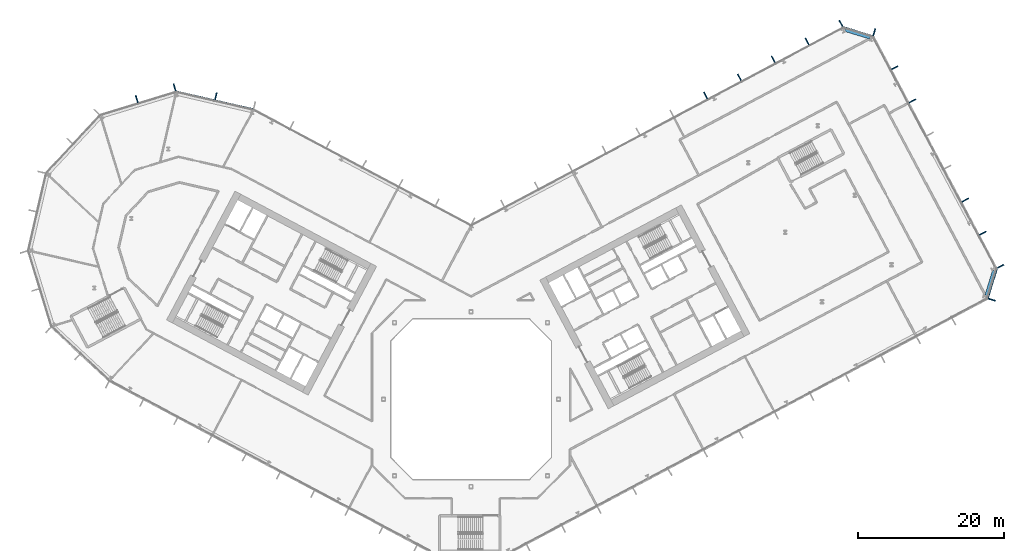
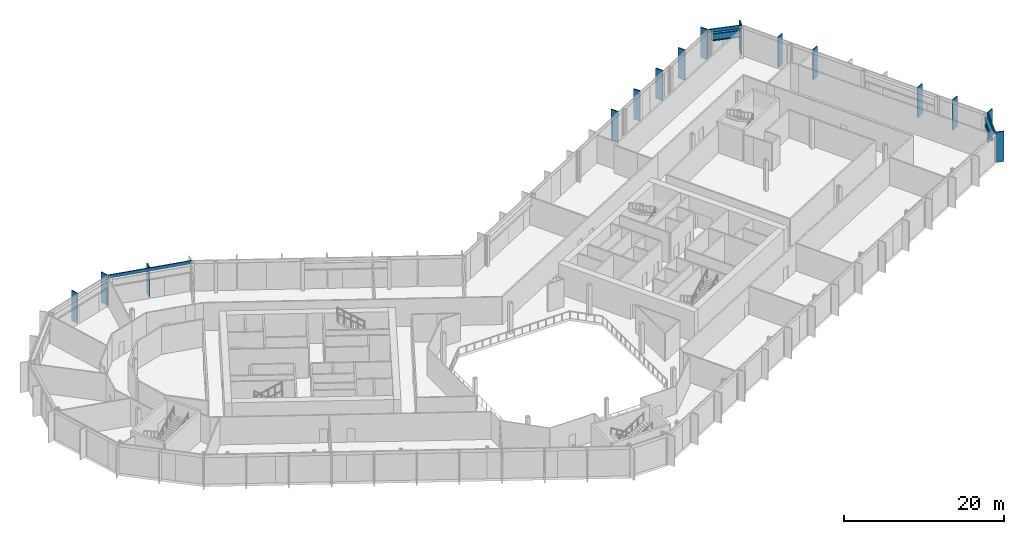
# One storey, part 9 of 30: 18 members, 2 beams, 6 elements without a shape of their own.
"""IFC4 building model written with IfcOpenShell, lengths in metres."""

from ifc_helpers import new_model, si_unit, direction, frame, origin, origin_2d, place, context, subcontext, project, spatial, rectangle, i_section, extrude, material, layer, layer_set, material_profile, profile_set, type_object, element, aggregate, save


model = new_model("IFC4")

# Units and contexts
model_context = context("Model", 3, precision=1e-05, world=origin(), true_north=direction((0.0, 1.0)))
body_context = subcontext(model_context, "Body", "Model", "MODEL_VIEW")
ifc_project = project(units=[si_unit("LENGTHUNIT", "METRE"), si_unit("AREAUNIT", "SQUARE_METRE"), si_unit("VOLUMEUNIT", "CUBIC_METRE"), si_unit("PLANEANGLEUNIT", "RADIAN"), si_unit("MASSUNIT", "GRAM", prefix="KILO")], contexts=[model_context])

# Site, building, storey
site_placement = place(None, origin())
site = spatial("IfcSite", under=ifc_project, at=site_placement, CompositionType="ELEMENT")
building_placement = place(site_placement, origin())
building = spatial("IfcBuilding", under=site, at=building_placement, Name="Cormorant Relay Tower", CompositionType="ELEMENT")
storey_placement = place(building_placement, frame((0.0, 0.0, 84.60009765625)))
storey = spatial("IfcBuildingStorey", under=building, at=storey_placement, Name="L16", CompositionType="ELEMENT", Elevation=84.60009765625)

# Curtain wall, member
ifc_material_1 = material(Name="Aluminium 6063-T6 anodised bronze", Category="aluminium")
ifc_layer = layer(ifc_material_1, 0.199951171875)
ifc_layer_set = layer_set([ifc_layer], Name="CW1 unitised bronze curtain wall with vertical fins")
curtain_wall_type = type_object("IfcCurtainWallType", Name="CW1 unitised bronze curtain wall with vertical fins", PredefinedType="NOTDEFINED", material=ifc_layer_set)
curtain_wall_1_placement = place(storey_placement, origin())
curtain_wall_1 = element("IfcCurtainWall", 1, at=curtain_wall_1_placement, inside=storey, type_object=curtain_wall_type, Name="CW1 curtain wall 3", PredefinedType="NOTDEFINED")
ifc_material_2 = material(Name="Aluminium 6063-T6 anodised bronze", Category="aluminium")
ifc_material_profile_1 = material_profile(ifc_material_2, rectangle(XDim=0.14990234375, YDim=1.0, at=origin_2d()), Name="AL 150x1000")
ifc_profile_set_1 = profile_set([ifc_material_profile_1], Name="Aluminium 6063-T6 anodised bronze")
member_type_1 = type_object("IfcMemberType", Name="CW1 bronze fin mullion 150 x 1000", PredefinedType="MULLION", material=ifc_profile_set_1)
member_1_placement = place(storey_placement, frame((71.45166015625, 13.64697265625, 0.0), z_axis=(0.0, 0.0, 1.0), x_axis=(0.292371704723, 0.956304755963, 0.0)))
member_1 = element("IfcMember", 2, at=member_1_placement, type_object=member_type_1, Name="CW1 fin 3.1", PredefinedType="MULLION", context=body_context, shape_type="SweptSolid", body=[
    extrude(rectangle(XDim=0.14990234375, YDim=1.0, at=origin_2d()), origin(), (0.0, 0.0, 1.0), 4.599853515625),
])

# Curtain wall, members
curtain_wall_2_placement = place(storey_placement, origin())
curtain_wall_2 = element("IfcCurtainWall", 3, at=curtain_wall_2_placement, inside=storey, type_object=curtain_wall_type, Name="CW1 curtain wall 4", PredefinedType="NOTDEFINED")
member_2_placement = place(storey_placement, frame((72.640869140625, 18.237548828125, 0.0), z_axis=(0.0, 0.0, 1.0), x_axis=(-0.469471562786, 0.882947592859, 0.0)))
member_2 = element("IfcMember", 4, at=member_2_placement, type_object=member_type_1, Name="CW1 fin 4.1", PredefinedType="MULLION", context=body_context, shape_type="SweptSolid", body=[
    extrude(rectangle(XDim=0.14990234375, YDim=1.0, at=origin_2d()), origin(), (0.0, 0.0, 1.0), 4.599853515625),
])
member_3_placement = place(storey_placement, frame((70.226318359375, 22.7783203125, 0.0), z_axis=(0.0, 0.0, 1.0), x_axis=(-0.469471562786, 0.882947592859, 0.0)))
member_3 = element("IfcMember", 5, at=member_3_placement, type_object=member_type_1, Name="CW1 fin 4.2", PredefinedType="MULLION", context=body_context, shape_type="SweptSolid", body=[
    extrude(rectangle(XDim=0.14990234375, YDim=1.0, at=origin_2d()), origin(), (0.0, 0.0, 1.0), 4.599853515625),
])
member_4_placement = place(storey_placement, frame((67.81201171875, 27.3193359375, 0.0), z_axis=(0.0, 0.0, 1.0), x_axis=(-0.469471562786, 0.882947592859, 0.0)))
member_4 = element("IfcMember", 6, at=member_4_placement, type_object=member_type_1, Name="CW1 fin 4.3", PredefinedType="MULLION", context=body_context, shape_type="SweptSolid", body=[
    extrude(rectangle(XDim=0.14990234375, YDim=1.0, at=origin_2d()), origin(), (0.0, 0.0, 1.0), 4.599853515625),
])
member_5_placement = place(storey_placement, frame((60.568603515625, 40.94189453125, 0.0), z_axis=(0.0, 0.0, 1.0), x_axis=(-0.469471562786, 0.882947592859, 0.0)))
member_5 = element("IfcMember", 7, at=member_5_placement, type_object=member_type_1, Name="CW1 fin 4.6", PredefinedType="MULLION", context=body_context, shape_type="SweptSolid", body=[
    extrude(rectangle(XDim=0.14990234375, YDim=1.0, at=origin_2d()), origin(), (0.0, 0.0, 1.0), 4.599853515625),
])
member_6_placement = place(storey_placement, frame((58.154296875, 45.48291015625, 0.0), z_axis=(0.0, 0.0, 1.0), x_axis=(-0.469471562786, 0.882947592859, 0.0)))
member_6 = element("IfcMember", 8, at=member_6_placement, type_object=member_type_1, Name="CW1 fin 4.7", PredefinedType="MULLION", context=body_context, shape_type="SweptSolid", body=[
    extrude(rectangle(XDim=0.14990234375, YDim=1.0, at=origin_2d()), origin(), (0.0, 0.0, 1.0), 4.599853515625),
])
aggregate(curtain_wall_2, [member_2, member_3, member_4, member_5, member_6])

# Curtain wall, member
curtain_wall_3_placement = place(storey_placement, origin())
curtain_wall_3 = element("IfcCurtainWall", 9, at=curtain_wall_3_placement, inside=storey, type_object=curtain_wall_type, Name="CW1 curtain wall 5", PredefinedType="NOTDEFINED")
member_7_placement = place(storey_placement, frame((55.326416015625, 50.364501953125, 0.0), z_axis=(0.0, 0.0, 1.0), x_axis=(-0.956304755963, 0.292371704723, 0.0)))
member_7 = element("IfcMember", 10, at=member_7_placement, type_object=member_type_1, Name="CW1 fin 5.1", PredefinedType="MULLION", context=body_context, shape_type="SweptSolid", body=[
    extrude(rectangle(XDim=0.14990234375, YDim=1.0, at=origin_2d()), origin(), (0.0, 0.0, 1.0), 4.599853515625),
])

# Curtain wall, members
curtain_wall_4_placement = place(storey_placement, origin())
curtain_wall_4 = element("IfcCurtainWall", 11, at=curtain_wall_4_placement, inside=storey, type_object=curtain_wall_type, Name="CW1 curtain wall 6", PredefinedType="NOTDEFINED")
member_8_placement = place(storey_placement, frame((50.73583984375, 51.553466796875, 0.0), z_axis=(0.0, 0.0, 1.0), x_axis=(-0.882947592859, -0.469471562786, 0.0)))
member_8 = element("IfcMember", 12, at=member_8_placement, type_object=member_type_1, Name="CW1 fin 6.1", PredefinedType="MULLION", context=body_context, shape_type="SweptSolid", body=[
    extrude(rectangle(XDim=0.14990234375, YDim=1.0, at=origin_2d()), origin(), (0.0, 0.0, 1.0), 4.599853515625),
])
member_9_placement = place(storey_placement, frame((46.093505859375, 49.085205078125, 0.0), z_axis=(0.0, 0.0, 1.0), x_axis=(-0.882947592859, -0.469471562786, 0.0)))
member_9 = element("IfcMember", 13, at=member_9_placement, type_object=member_type_1, Name="CW1 fin 6.2", PredefinedType="MULLION", context=body_context, shape_type="SweptSolid", body=[
    extrude(rectangle(XDim=0.14990234375, YDim=1.0, at=origin_2d()), origin(), (0.0, 0.0, 1.0), 4.599853515625),
])
member_10_placement = place(storey_placement, frame((41.451416015625, 46.616943359375, 0.0), z_axis=(0.0, 0.0, 1.0), x_axis=(-0.882947592859, -0.469471562786, 0.0)))
member_10 = element("IfcMember", 14, at=member_10_placement, type_object=member_type_1, Name="CW1 fin 6.3", PredefinedType="MULLION", context=body_context, shape_type="SweptSolid", body=[
    extrude(rectangle(XDim=0.14990234375, YDim=1.0, at=origin_2d()), origin(), (0.0, 0.0, 1.0), 4.599853515625),
])
member_11_placement = place(storey_placement, frame((36.80908203125, 44.148681640625, 0.0), z_axis=(0.0, 0.0, 1.0), x_axis=(-0.882947592859, -0.469471562786, 0.0)))
member_11 = element("IfcMember", 15, at=member_11_placement, type_object=member_type_1, Name="CW1 fin 6.4", PredefinedType="MULLION", context=body_context, shape_type="SweptSolid", body=[
    extrude(rectangle(XDim=0.14990234375, YDim=1.0, at=origin_2d()), origin(), (0.0, 0.0, 1.0), 4.599853515625),
])
member_12_placement = place(storey_placement, frame((32.1669921875, 41.68017578125, 0.0), z_axis=(0.0, 0.0, 1.0), x_axis=(-0.882947592859, -0.469471562786, 0.0)))
member_12 = element("IfcMember", 16, at=member_12_placement, type_object=member_type_1, Name="CW1 fin 6.5", PredefinedType="MULLION", context=body_context, shape_type="SweptSolid", body=[
    extrude(rectangle(XDim=0.14990234375, YDim=1.0, at=origin_2d()), origin(), (0.0, 0.0, 1.0), 4.599853515625),
])
aggregate(curtain_wall_4, [member_8, member_9, member_10, member_11, member_12])

# Curtain wall, member
curtain_wall_5_placement = place(storey_placement, origin())
curtain_wall_5 = element("IfcCurtainWall", 17, at=curtain_wall_5_placement, inside=storey, type_object=curtain_wall_type, Name="CW1 curtain wall 8", PredefinedType="NOTDEFINED")
member_13_placement = place(storey_placement, frame((-35.01220703125, 41.57275390625, 0.0), z_axis=(0.0, 0.0, 1.0), x_axis=(-0.974370064785, 0.224951054344, 0.0)))
member_13 = element("IfcMember", 18, at=member_13_placement, type_object=member_type_1, Name="CW1 fin 8.2", PredefinedType="MULLION", context=body_context, shape_type="SweptSolid", body=[
    extrude(rectangle(XDim=0.14990234375, YDim=1.0, at=origin_2d()), origin(), (0.0, 0.0, 1.0), 4.599853515625),
])

# Curtain wall, members
curtain_wall_6_placement = place(storey_placement, origin())
curtain_wall_6 = element("IfcCurtainWall", 19, at=curtain_wall_6_placement, inside=storey, type_object=curtain_wall_type, Name="CW1 curtain wall 9", PredefinedType="NOTDEFINED")
member_14_placement = place(storey_placement, frame((-40.670166015625, 42.78271484375, 0.0), z_axis=(0.0, 0.0, 1.0), x_axis=(-0.956304755963, -0.292371704723, 0.0)))
member_14 = element("IfcMember", 20, at=member_14_placement, type_object=member_type_1, Name="CW1 fin 9.1", PredefinedType="MULLION", context=body_context, shape_type="SweptSolid", body=[
    extrude(rectangle(XDim=0.14990234375, YDim=1.0, at=origin_2d()), origin(), (0.0, 0.0, 1.0), 4.599853515625),
])
member_15_placement = place(storey_placement, frame((-45.867919921875, 41.193603515625, 0.0), z_axis=(0.0, 0.0, 1.0), x_axis=(-0.956304755963, -0.292371704723, 0.0)))
member_15 = element("IfcMember", 21, at=member_15_placement, type_object=member_type_1, Name="CW1 fin 9.2", PredefinedType="MULLION", context=body_context, shape_type="SweptSolid", body=[
    extrude(rectangle(XDim=0.14990234375, YDim=1.0, at=origin_2d()), origin(), (0.0, 0.0, 1.0), 4.599853515625),
])
aggregate(curtain_wall_6, [member_14, member_15])

# Member
ifc_material_3 = material(Name="Aluminium 6063-T6 anodised bronze", Category="aluminium")
ifc_material_profile_2 = material_profile(ifc_material_3, rectangle(XDim=0.159912109375, YDim=0.449951171875, at=origin_2d()), Name="AL 160x450")
ifc_profile_set_2 = profile_set([ifc_material_profile_2], Name="Aluminium 6063-T6 anodised bronze")
member_type_2 = type_object("IfcMemberType", Name="CW1 bronze transom 160 x 450", PredefinedType="USERDEFINED", material=ifc_profile_set_2)
member_16_placement = place(storey_placement, frame((70.89697265625, 13.816650390625, 4.375), z_axis=(0.292391046905, 0.95629884225, 0.0), x_axis=(-0.95629884225, 0.292391046905, 0.0)))
member_16 = element("IfcMember", 22, at=member_16_placement, type_object=member_type_2, Name="CW1 transom 3", ObjectType="TRANSOM", PredefinedType="USERDEFINED", context=body_context, shape_type="SweptSolid", body=[
    extrude(rectangle(XDim=0.159912109375, YDim=0.449951171875, at=origin_2d()), origin(), (0.0, 0.0, 1.0), 4.242431640625),
])

aggregate(curtain_wall_1, [member_1, member_16])

member_17_placement = place(storey_placement, frame((55.15673828125, 49.809814453125, 4.375), z_axis=(-0.95629884225, 0.292391046905, 0.0), x_axis=(-0.292391046905, -0.95629884225, 0.0)))
member_17 = element("IfcMember", 23, at=member_17_placement, type_object=member_type_2, Name="CW1 transom 5", ObjectType="TRANSOM", PredefinedType="USERDEFINED", context=body_context, shape_type="SweptSolid", body=[
    extrude(rectangle(XDim=0.159912109375, YDim=0.449951171875, at=origin_2d()), origin(), (0.0, 0.0, 1.0), 4.242431640625),
])

aggregate(curtain_wall_3, [member_7, member_17])

member_18_placement = place(storey_placement, frame((-29.8466796875, 39.784912109375, 4.375), z_axis=(-0.974365070969, 0.224972683844, 0.0), x_axis=(-0.224972683844, -0.974365070969, 0.0)))
member_18 = element("IfcMember", 24, at=member_18_placement, type_object=member_type_2, Name="CW1 transom 8", ObjectType="TRANSOM", PredefinedType="USERDEFINED", context=body_context, shape_type="SweptSolid", body=[
    extrude(rectangle(XDim=0.159912109375, YDim=0.449951171875, at=origin_2d()), origin(), (0.0, 0.0, 1.0), 10.870361328125),
])

aggregate(curtain_wall_5, [member_13, member_18])

# Beams
ifc_material_4 = material(Name="Steel ASTM A992 (Fy 345 MPa)", Category="steel")
ifc_material_profile_3 = material_profile(ifc_material_4, i_section(OverallWidth=0.40380859375, OverallDepth=1.11767578125, WebThickness=0.026123046875, FlangeThickness=0.044921875, FilletRadius=0.02001953125, at=origin_2d()), Name="W1100x499")
ifc_profile_set_3 = profile_set([ifc_material_profile_3], Name="Steel ASTM A992 (Fy 345 MPa)")
beam_type = type_object("IfcBeamType", Name="Spandrel W1100x499", PredefinedType="SPANDREL", material=ifc_profile_set_3)
for number, where, z_axis, x_axis, name in (
    (25, (70.6943359375, 14.255126953125, 3.64111328125), (0.292423449705, 0.956288934403, 0.0), (-0.956288934403, 0.292423449705, 0.0), "Spandrel beam L16-003"),
    (26, (54.718017578125, 49.607421875, 3.64111328125), (-0.956308047674, 0.292360937806, 0.0), (-0.292360937806, -0.956308047674, 0.0), "Spandrel beam L16-005"),
):
    element("IfcBeam", number, at=place(storey_placement, frame(where, z_axis=z_axis, x_axis=x_axis)), inside=storey, type_object=beam_type, Name=name, PredefinedType="SPANDREL", context=body_context, shape_type="SweptSolid", body=[
        extrude(i_section(OverallWidth=0.40380859375, OverallDepth=1.11767578125, WebThickness=0.026123046875, FlangeThickness=0.044921875, FilletRadius=0.02001953125, at=origin_2d()), origin(), (0.0, 0.0, 1.0), 3.571533203125),
    ])

save(model, "model.ifc")
